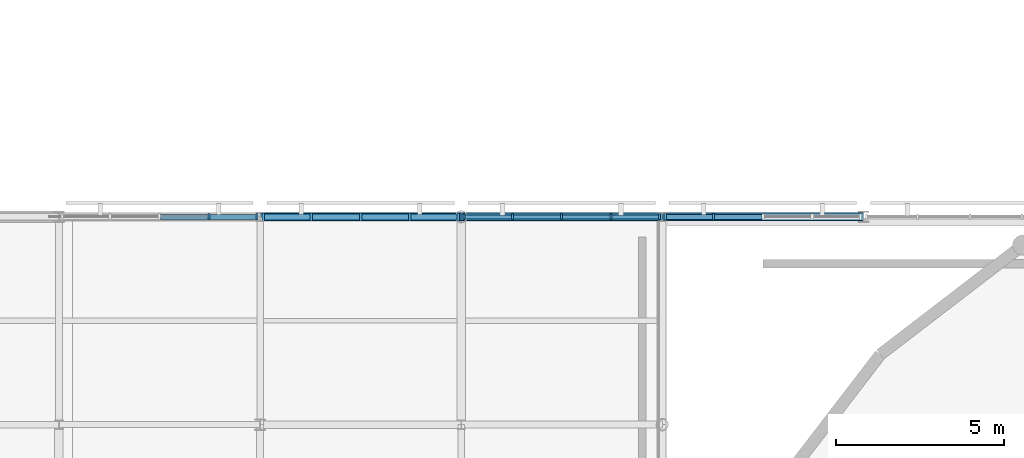
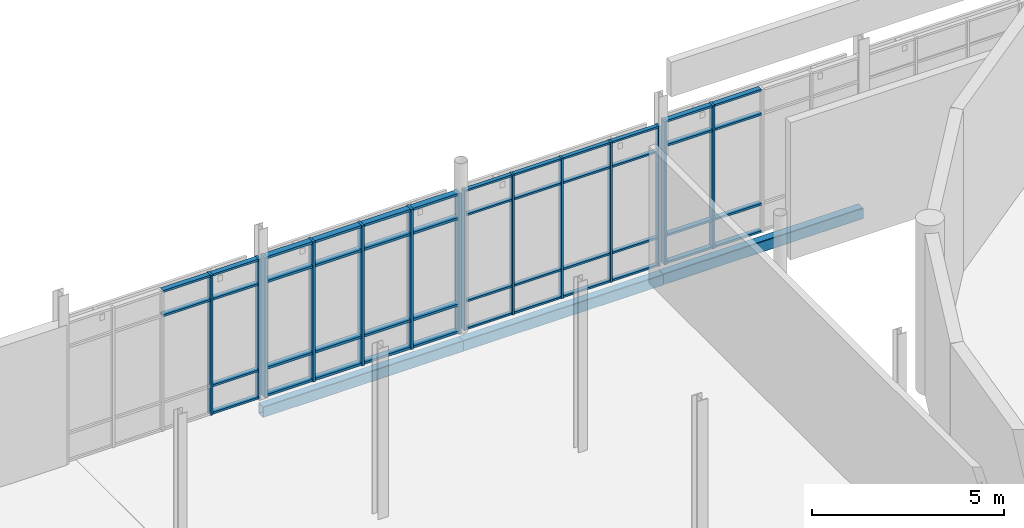
# One storey, part 37 of 105: 60 members, 3 beams, 4 elements without a shape of their own.
"""IFC4 building model written with IfcOpenShell, lengths in metres."""

from ifc_helpers import new_model, si_unit, direction, frame, origin, origin_2d, place, context, subcontext, project, spatial, rectangle, hollow_rectangle, extrude, material, layer, layer_set, material_profile, profile_set, type_object, element, aggregate, save


model = new_model("IFC4")

# Units and contexts
model_context = context("Model", 3, precision=1e-05, world=origin(), true_north=direction((0.0, 1.0)))
body_context = subcontext(model_context, "Body", "Model", "MODEL_VIEW")
ifc_project = project(units=[si_unit("LENGTHUNIT", "METRE"), si_unit("AREAUNIT", "SQUARE_METRE"), si_unit("VOLUMEUNIT", "CUBIC_METRE"), si_unit("PLANEANGLEUNIT", "RADIAN"), si_unit("MASSUNIT", "GRAM", prefix="KILO")], contexts=[model_context])

# Site, building, storey
site_placement = place(None, origin())
site = spatial("IfcSite", under=ifc_project, at=site_placement, CompositionType="ELEMENT")
building_placement = place(site_placement, origin())
building = spatial("IfcBuilding", under=site, at=building_placement, Name="Mirzam Square Science Centre", CompositionType="ELEMENT")
storey_placement = place(building_placement, frame((0.0, 0.0, 5.39990234375)))
storey = spatial("IfcBuildingStorey", under=building, at=storey_placement, Name="L01", CompositionType="ELEMENT", Elevation=5.39990234375)

# Curtain wall, members
ifc_material_1 = material(Name="Anodised Aluminium and Low-E Solar Glass", Category="aluminium")
ifc_layer_1 = layer(ifc_material_1, 0.199951171875)
ifc_layer_set_1 = layer_set([ifc_layer_1], Name="CW-EAST-A")
curtain_wall_type_1 = type_object("IfcCurtainWallType", Name="CW-EAST-A", PredefinedType="USERDEFINED", material=ifc_layer_set_1)
curtain_wall_1_placement = place(storey_placement, origin())
curtain_wall_1 = element("IfcCurtainWall", 1, at=curtain_wall_1_placement, inside=storey, type_object=curtain_wall_type_1, Name="L01 unitised curtain wall 17", ObjectType="UNITISED CURTAIN WALL", PredefinedType="USERDEFINED")
ifc_material_2 = material(Name="Anodised Architectural Aluminium 6063-T6", Category="aluminium")
ifc_material_profile_1 = material_profile(ifc_material_2, rectangle(XDim=0.06005859375, YDim=0.159912109375, at=origin_2d()), Name="ALU-MULL-160x60x4")
ifc_profile_set_1 = profile_set([ifc_material_profile_1], Name="Anodised Architectural Aluminium 6063-T6")
member_type_1 = type_object("IfcMemberType", Name="CWM-160", PredefinedType="MULLION", material=ifc_profile_set_1)
member_1_placement = place(storey_placement, frame((59.9150390625, 80.60009765625, 0.0), z_axis=(0.0, 0.0, 1.0), x_axis=(-1.0, 0.0, 0.0)))
member_1 = element("IfcMember", 2, at=member_1_placement, type_object=member_type_1, Name="CW-05 mullion 1", PredefinedType="MULLION", context=body_context, shape_type="SweptSolid", body=[
    extrude(rectangle(XDim=0.06005859375, YDim=0.159912109375, at=origin_2d()), origin(), (0.0, 0.0, 1.0), 4.440185546875),
])
member_2_placement = place(storey_placement, frame((58.472412109375, 80.60009765625, 0.0), z_axis=(0.0, 0.0, 1.0), x_axis=(-1.0, 0.0, 0.0)))
member_2 = element("IfcMember", 3, at=member_2_placement, type_object=member_type_1, Name="CW-05 mullion 2", PredefinedType="MULLION", context=body_context, shape_type="SweptSolid", body=[
    extrude(rectangle(XDim=0.06005859375, YDim=0.159912109375, at=origin_2d()), origin(), (0.0, 0.0, 1.0), 4.440185546875),
])
member_3_placement = place(storey_placement, frame((57.0, 80.60009765625, 0.0), z_axis=(0.0, 0.0, 1.0), x_axis=(-1.0, 0.0, 0.0)))
member_3 = element("IfcMember", 4, at=member_3_placement, type_object=member_type_1, Name="CW-05 mullion 3", PredefinedType="MULLION", context=body_context, shape_type="SweptSolid", body=[
    extrude(rectangle(XDim=0.06005859375, YDim=0.159912109375, at=origin_2d()), origin(), (0.0, 0.0, 1.0), 4.440185546875),
])
member_4_placement = place(storey_placement, frame((55.527587890625, 80.60009765625, 0.0), z_axis=(0.0, 0.0, 1.0), x_axis=(-1.0, 0.0, 0.0)))
member_4 = element("IfcMember", 5, at=member_4_placement, type_object=member_type_1, Name="CW-05 mullion 4", PredefinedType="MULLION", context=body_context, shape_type="SweptSolid", body=[
    extrude(rectangle(XDim=0.06005859375, YDim=0.159912109375, at=origin_2d()), origin(), (0.0, 0.0, 1.0), 4.440185546875),
])
member_5_placement = place(storey_placement, frame((54.0849609375, 80.60009765625, 0.0), z_axis=(0.0, 0.0, 1.0), x_axis=(-1.0, 0.0, 0.0)))
member_5 = element("IfcMember", 6, at=member_5_placement, type_object=member_type_1, Name="CW-05 mullion 5", PredefinedType="MULLION", context=body_context, shape_type="SweptSolid", body=[
    extrude(rectangle(XDim=0.06005859375, YDim=0.159912109375, at=origin_2d()), origin(), (0.0, 0.0, 1.0), 4.440185546875),
])

ifc_layer_2 = layer(ifc_material_1, 0.159912109375)
ifc_layer_set_2 = layer_set([ifc_layer_2], Name="CW-COURT-A")
curtain_wall_type_2 = type_object("IfcCurtainWallType", Name="CW-COURT-A", PredefinedType="USERDEFINED", material=ifc_layer_set_2)
curtain_wall_2_placement = place(storey_placement, origin())
curtain_wall_2 = element("IfcCurtainWall", 7, at=curtain_wall_2_placement, inside=storey, type_object=curtain_wall_type_2, Name="L01 unitised curtain wall 15", ObjectType="UNITISED CURTAIN WALL", PredefinedType="USERDEFINED")
ifc_material_profile_2 = material_profile(ifc_material_2, rectangle(XDim=0.06494140625, YDim=0.199951171875, at=origin_2d()), Name="ALU-MULL-200x65x5")
ifc_profile_set_2 = profile_set([ifc_material_profile_2], Name="Anodised Architectural Aluminium 6063-T6")
member_type_2 = type_object("IfcMemberType", Name="CWM-200", PredefinedType="MULLION", material=ifc_profile_set_2)
member_6_placement = place(storey_placement, frame((47.91259765625, 80.60009765625, 0.0), z_axis=(0.0, 0.0, 1.0), x_axis=(-1.0, 0.0, 0.0)))
member_6 = element("IfcMember", 8, at=member_6_placement, type_object=member_type_2, Name="CW-03 mullion 1", PredefinedType="MULLION", context=body_context, shape_type="SweptSolid", body=[
    extrude(rectangle(XDim=0.06494140625, YDim=0.199951171875, at=origin_2d()), origin(), (0.0, 0.0, 1.0), 4.440185546875),
])
member_7_placement = place(storey_placement, frame((46.472412109375, 80.60009765625, 0.0), z_axis=(0.0, 0.0, 1.0), x_axis=(-1.0, 0.0, 0.0)))
member_7 = element("IfcMember", 9, at=member_7_placement, type_object=member_type_2, Name="CW-03 mullion 2", PredefinedType="MULLION", context=body_context, shape_type="SweptSolid", body=[
    extrude(rectangle(XDim=0.06494140625, YDim=0.199951171875, at=origin_2d()), origin(), (0.0, 0.0, 1.0), 4.440185546875),
])

curtain_wall_3_placement = place(storey_placement, origin())
curtain_wall_3 = element("IfcCurtainWall", 10, at=curtain_wall_3_placement, inside=storey, type_object=curtain_wall_type_2, Name="L01 unitised curtain wall 50", ObjectType="UNITISED CURTAIN WALL", PredefinedType="USERDEFINED")
member_8_placement = place(storey_placement, frame((61.527587890625, 80.60009765625, 0.0), z_axis=(0.0, 0.0, 1.0), x_axis=(-1.0, 0.0, 0.0)))
member_8 = element("IfcMember", 11, at=member_8_placement, type_object=member_type_2, Name="CW-03 mullion 4", PredefinedType="MULLION", context=body_context, shape_type="SweptSolid", body=[
    extrude(rectangle(XDim=0.06494140625, YDim=0.199951171875, at=origin_2d()), origin(), (0.0, 0.0, 1.0), 4.550048828125),
])
member_9_placement = place(storey_placement, frame((60.08740234375, 80.60009765625, 0.0), z_axis=(0.0, 0.0, 1.0), x_axis=(-1.0, 0.0, 0.0)))
member_9 = element("IfcMember", 12, at=member_9_placement, type_object=member_type_2, Name="CW-03 mullion 5", PredefinedType="MULLION", context=body_context, shape_type="SweptSolid", body=[
    extrude(rectangle(XDim=0.06494140625, YDim=0.199951171875, at=origin_2d()), origin(), (0.0, 0.0, 1.0), 4.550048828125),
])

ifc_layer_3 = layer(ifc_material_1, 0.159912109375)
ifc_layer_set_3 = layer_set([ifc_layer_3], Name="CW-COURT-B")
curtain_wall_type_3 = type_object("IfcCurtainWallType", Name="CW-COURT-B", PredefinedType="USERDEFINED", material=ifc_layer_set_3)
curtain_wall_4_placement = place(storey_placement, origin())
curtain_wall_4 = element("IfcCurtainWall", 13, at=curtain_wall_4_placement, inside=storey, type_object=curtain_wall_type_3, Name="L01 unitised curtain wall 16", ObjectType="UNITISED CURTAIN WALL", PredefinedType="USERDEFINED")
ifc_material_profile_3 = material_profile(ifc_material_2, rectangle(XDim=0.074951171875, YDim=0.239990234375, at=origin_2d()), Name="ALU-MULL-240x75x5")
ifc_profile_set_3 = profile_set([ifc_material_profile_3], Name="Anodised Architectural Aluminium 6063-T6")
member_type_3 = type_object("IfcMemberType", Name="CWM-240", PredefinedType="MULLION", material=ifc_profile_set_3)
member_10_placement = place(storey_placement, frame((53.907470703125, 80.60009765625, 0.0), z_axis=(0.0, 0.0, 1.0), x_axis=(-1.0, 0.0, 0.0)))
member_10 = element("IfcMember", 14, at=member_10_placement, type_object=member_type_3, Name="CW-04 mullion 1", PredefinedType="MULLION", context=body_context, shape_type="SweptSolid", body=[
    extrude(rectangle(XDim=0.074951171875, YDim=0.239990234375, at=origin_2d()), origin(), (0.0, 0.0, 1.0), 4.440185546875),
])
member_11_placement = place(storey_placement, frame((52.472412109375, 80.60009765625, 0.0), z_axis=(0.0, 0.0, 1.0), x_axis=(-1.0, 0.0, 0.0)))
member_11 = element("IfcMember", 15, at=member_11_placement, type_object=member_type_3, Name="CW-04 mullion 2", PredefinedType="MULLION", context=body_context, shape_type="SweptSolid", body=[
    extrude(rectangle(XDim=0.074951171875, YDim=0.239990234375, at=origin_2d()), origin(), (0.0, 0.0, 1.0), 4.440185546875),
])
member_12_placement = place(storey_placement, frame((51.0, 80.60009765625, 0.0), z_axis=(0.0, 0.0, 1.0), x_axis=(-1.0, 0.0, 0.0)))
member_12 = element("IfcMember", 16, at=member_12_placement, type_object=member_type_3, Name="CW-04 mullion 3", PredefinedType="MULLION", context=body_context, shape_type="SweptSolid", body=[
    extrude(rectangle(XDim=0.074951171875, YDim=0.239990234375, at=origin_2d()), origin(), (0.0, 0.0, 1.0), 4.440185546875),
])
member_13_placement = place(storey_placement, frame((49.527587890625, 80.60009765625, 0.0), z_axis=(0.0, 0.0, 1.0), x_axis=(-1.0, 0.0, 0.0)))
member_13 = element("IfcMember", 17, at=member_13_placement, type_object=member_type_3, Name="CW-04 mullion 4", PredefinedType="MULLION", context=body_context, shape_type="SweptSolid", body=[
    extrude(rectangle(XDim=0.074951171875, YDim=0.239990234375, at=origin_2d()), origin(), (0.0, 0.0, 1.0), 4.440185546875),
])
member_14_placement = place(storey_placement, frame((48.092529296875, 80.60009765625, 0.0), z_axis=(0.0, 0.0, 1.0), x_axis=(-1.0, 0.0, 0.0)))
member_14 = element("IfcMember", 18, at=member_14_placement, type_object=member_type_3, Name="CW-04 mullion 5", PredefinedType="MULLION", context=body_context, shape_type="SweptSolid", body=[
    extrude(rectangle(XDim=0.074951171875, YDim=0.239990234375, at=origin_2d()), origin(), (0.0, 0.0, 1.0), 4.440185546875),
])

# Member
ifc_material_profile_4 = material_profile(ifc_material_2, rectangle(XDim=0.1201171875, YDim=0.06005859375, at=origin_2d()), Name="ALU-TRAN-120x60x4")
ifc_profile_set_4 = profile_set([ifc_material_profile_4], Name="Anodised Architectural Aluminium 6063-T6")
member_type_4 = type_object("IfcMemberType", Name="CWT-120", PredefinedType="USERDEFINED", material=ifc_profile_set_4)
member_15_placement = place(storey_placement, frame((59.885009765625, 80.60009765625, 0.030029296875), z_axis=(-1.0, 0.0, 0.0), x_axis=(0.0, -1.0, 0.0)))
member_15 = element("IfcMember", 19, at=member_15_placement, type_object=member_type_4, Name="CW-05 transom 1.1", ObjectType="TRANSOM", PredefinedType="USERDEFINED", context=body_context, shape_type="SweptSolid", body=[
    extrude(rectangle(XDim=0.1201171875, YDim=0.06005859375, at=origin_2d()), origin(), (0.0, 0.0, 1.0), 1.382568359375),
])

member_16_placement = place(storey_placement, frame((59.885009765625, 80.60009765625, 0.900146484375), z_axis=(-1.0, 0.0, 0.0), x_axis=(0.0, -1.0, 0.0)))
member_16 = element("IfcMember", 20, at=member_16_placement, type_object=member_type_4, Name="CW-05 transom 1.2", ObjectType="TRANSOM", PredefinedType="USERDEFINED", context=body_context, shape_type="SweptSolid", body=[
    extrude(rectangle(XDim=0.1201171875, YDim=0.06005859375, at=origin_2d()), origin(), (0.0, 0.0, 1.0), 1.382568359375),
])

member_17_placement = place(storey_placement, frame((59.885009765625, 80.60009765625, 3.64013671875), z_axis=(-1.0, 0.0, 0.0), x_axis=(0.0, -1.0, 0.0)))
member_17 = element("IfcMember", 21, at=member_17_placement, type_object=member_type_4, Name="CW-05 transom 1.3", ObjectType="TRANSOM", PredefinedType="USERDEFINED", context=body_context, shape_type="SweptSolid", body=[
    extrude(rectangle(XDim=0.1201171875, YDim=0.06005859375, at=origin_2d()), origin(), (0.0, 0.0, 1.0), 1.382568359375),
])

member_18_placement = place(storey_placement, frame((59.885009765625, 80.60009765625, 4.41015625), z_axis=(-1.0, 0.0, 0.0), x_axis=(0.0, -1.0, 0.0)))
member_18 = element("IfcMember", 22, at=member_18_placement, type_object=member_type_4, Name="CW-05 transom 1.4", ObjectType="TRANSOM", PredefinedType="USERDEFINED", context=body_context, shape_type="SweptSolid", body=[
    extrude(rectangle(XDim=0.1201171875, YDim=0.06005859375, at=origin_2d()), origin(), (0.0, 0.0, 1.0), 1.382568359375),
])

member_19_placement = place(storey_placement, frame((58.4423828125, 80.60009765625, 0.030029296875), z_axis=(-1.0, 0.0, 0.0), x_axis=(0.0, -1.0, 0.0)))
member_19 = element("IfcMember", 23, at=member_19_placement, type_object=member_type_4, Name="CW-05 transom 2.1", ObjectType="TRANSOM", PredefinedType="USERDEFINED", context=body_context, shape_type="SweptSolid", body=[
    extrude(rectangle(XDim=0.1201171875, YDim=0.06005859375, at=origin_2d()), origin(), (0.0, 0.0, 1.0), 1.412353515625),
])

member_20_placement = place(storey_placement, frame((58.4423828125, 80.60009765625, 0.900146484375), z_axis=(-1.0, 0.0, 0.0), x_axis=(0.0, -1.0, 0.0)))
member_20 = element("IfcMember", 24, at=member_20_placement, type_object=member_type_4, Name="CW-05 transom 2.2", ObjectType="TRANSOM", PredefinedType="USERDEFINED", context=body_context, shape_type="SweptSolid", body=[
    extrude(rectangle(XDim=0.1201171875, YDim=0.06005859375, at=origin_2d()), origin(), (0.0, 0.0, 1.0), 1.412353515625),
])

member_21_placement = place(storey_placement, frame((58.4423828125, 80.60009765625, 3.64013671875), z_axis=(-1.0, 0.0, 0.0), x_axis=(0.0, -1.0, 0.0)))
member_21 = element("IfcMember", 25, at=member_21_placement, type_object=member_type_4, Name="CW-05 transom 2.3", ObjectType="TRANSOM", PredefinedType="USERDEFINED", context=body_context, shape_type="SweptSolid", body=[
    extrude(rectangle(XDim=0.1201171875, YDim=0.06005859375, at=origin_2d()), origin(), (0.0, 0.0, 1.0), 1.412353515625),
])

member_22_placement = place(storey_placement, frame((58.4423828125, 80.60009765625, 4.41015625), z_axis=(-1.0, 0.0, 0.0), x_axis=(0.0, -1.0, 0.0)))
member_22 = element("IfcMember", 26, at=member_22_placement, type_object=member_type_4, Name="CW-05 transom 2.4", ObjectType="TRANSOM", PredefinedType="USERDEFINED", context=body_context, shape_type="SweptSolid", body=[
    extrude(rectangle(XDim=0.1201171875, YDim=0.06005859375, at=origin_2d()), origin(), (0.0, 0.0, 1.0), 1.412353515625),
])

member_23_placement = place(storey_placement, frame((56.969970703125, 80.60009765625, 0.030029296875), z_axis=(-1.0, 0.0, 0.0), x_axis=(0.0, -1.0, 0.0)))
member_23 = element("IfcMember", 27, at=member_23_placement, type_object=member_type_4, Name="CW-05 transom 3.1", ObjectType="TRANSOM", PredefinedType="USERDEFINED", context=body_context, shape_type="SweptSolid", body=[
    extrude(rectangle(XDim=0.1201171875, YDim=0.06005859375, at=origin_2d()), origin(), (0.0, 0.0, 1.0), 1.412353515625),
])

member_24_placement = place(storey_placement, frame((56.969970703125, 80.60009765625, 0.900146484375), z_axis=(-1.0, 0.0, 0.0), x_axis=(0.0, -1.0, 0.0)))
member_24 = element("IfcMember", 28, at=member_24_placement, type_object=member_type_4, Name="CW-05 transom 3.2", ObjectType="TRANSOM", PredefinedType="USERDEFINED", context=body_context, shape_type="SweptSolid", body=[
    extrude(rectangle(XDim=0.1201171875, YDim=0.06005859375, at=origin_2d()), origin(), (0.0, 0.0, 1.0), 1.412353515625),
])

member_25_placement = place(storey_placement, frame((56.969970703125, 80.60009765625, 3.64013671875), z_axis=(-1.0, 0.0, 0.0), x_axis=(0.0, -1.0, 0.0)))
member_25 = element("IfcMember", 29, at=member_25_placement, type_object=member_type_4, Name="CW-05 transom 3.3", ObjectType="TRANSOM", PredefinedType="USERDEFINED", context=body_context, shape_type="SweptSolid", body=[
    extrude(rectangle(XDim=0.1201171875, YDim=0.06005859375, at=origin_2d()), origin(), (0.0, 0.0, 1.0), 1.412353515625),
])

member_26_placement = place(storey_placement, frame((56.969970703125, 80.60009765625, 4.41015625), z_axis=(-1.0, 0.0, 0.0), x_axis=(0.0, -1.0, 0.0)))
member_26 = element("IfcMember", 30, at=member_26_placement, type_object=member_type_4, Name="CW-05 transom 3.4", ObjectType="TRANSOM", PredefinedType="USERDEFINED", context=body_context, shape_type="SweptSolid", body=[
    extrude(rectangle(XDim=0.1201171875, YDim=0.06005859375, at=origin_2d()), origin(), (0.0, 0.0, 1.0), 1.412353515625),
])

member_27_placement = place(storey_placement, frame((55.49755859375, 80.60009765625, 0.030029296875), z_axis=(-1.0, 0.0, 0.0), x_axis=(0.0, -1.0, 0.0)))
member_27 = element("IfcMember", 31, at=member_27_placement, type_object=member_type_4, Name="CW-05 transom 4.1", ObjectType="TRANSOM", PredefinedType="USERDEFINED", context=body_context, shape_type="SweptSolid", body=[
    extrude(rectangle(XDim=0.1201171875, YDim=0.06005859375, at=origin_2d()), origin(), (0.0, 0.0, 1.0), 1.382568359375),
])

member_28_placement = place(storey_placement, frame((55.49755859375, 80.60009765625, 0.900146484375), z_axis=(-1.0, 0.0, 0.0), x_axis=(0.0, -1.0, 0.0)))
member_28 = element("IfcMember", 32, at=member_28_placement, type_object=member_type_4, Name="CW-05 transom 4.2", ObjectType="TRANSOM", PredefinedType="USERDEFINED", context=body_context, shape_type="SweptSolid", body=[
    extrude(rectangle(XDim=0.1201171875, YDim=0.06005859375, at=origin_2d()), origin(), (0.0, 0.0, 1.0), 1.382568359375),
])

member_29_placement = place(storey_placement, frame((55.49755859375, 80.60009765625, 3.64013671875), z_axis=(-1.0, 0.0, 0.0), x_axis=(0.0, -1.0, 0.0)))
member_29 = element("IfcMember", 33, at=member_29_placement, type_object=member_type_4, Name="CW-05 transom 4.3", ObjectType="TRANSOM", PredefinedType="USERDEFINED", context=body_context, shape_type="SweptSolid", body=[
    extrude(rectangle(XDim=0.1201171875, YDim=0.06005859375, at=origin_2d()), origin(), (0.0, 0.0, 1.0), 1.382568359375),
])

member_30_placement = place(storey_placement, frame((55.49755859375, 80.60009765625, 4.41015625), z_axis=(-1.0, 0.0, 0.0), x_axis=(0.0, -1.0, 0.0)))
member_30 = element("IfcMember", 34, at=member_30_placement, type_object=member_type_4, Name="CW-05 transom 4.4", ObjectType="TRANSOM", PredefinedType="USERDEFINED", context=body_context, shape_type="SweptSolid", body=[
    extrude(rectangle(XDim=0.1201171875, YDim=0.06005859375, at=origin_2d()), origin(), (0.0, 0.0, 1.0), 1.382568359375),
])

aggregate(curtain_wall_1, [member_1, member_2, member_3, member_4, member_5, member_15, member_16, member_17, member_18, member_19, member_20, member_21, member_22, member_23, member_24, member_25, member_26, member_27, member_28, member_29, member_30])

ifc_material_profile_5 = material_profile(ifc_material_2, rectangle(XDim=0.14990234375, YDim=0.06494140625, at=origin_2d()), Name="ALU-TRAN-150x65x4")
ifc_profile_set_5 = profile_set([ifc_material_profile_5], Name="Anodised Architectural Aluminium 6063-T6")
member_type_5 = type_object("IfcMemberType", Name="CWT-150", PredefinedType="USERDEFINED", material=ifc_profile_set_5)
member_31_placement = place(storey_placement, frame((47.8798828125, 80.60009765625, 0.03271484375), z_axis=(-1.0, 0.0, 0.0), x_axis=(0.0, -1.0, 0.0)))
member_31 = element("IfcMember", 35, at=member_31_placement, type_object=member_type_5, Name="CW-03 transom 1.1", ObjectType="TRANSOM", PredefinedType="USERDEFINED", context=body_context, shape_type="SweptSolid", body=[
    extrude(rectangle(XDim=0.14990234375, YDim=0.06494140625, at=origin_2d()), origin(), (0.0, 0.0, 1.0), 1.375),
])

member_32_placement = place(storey_placement, frame((47.8798828125, 80.60009765625, 0.900146484375), z_axis=(-1.0, 0.0, 0.0), x_axis=(0.0, -1.0, 0.0)))
member_32 = element("IfcMember", 36, at=member_32_placement, type_object=member_type_5, Name="CW-03 transom 1.2", ObjectType="TRANSOM", PredefinedType="USERDEFINED", context=body_context, shape_type="SweptSolid", body=[
    extrude(rectangle(XDim=0.14990234375, YDim=0.06494140625, at=origin_2d()), origin(), (0.0, 0.0, 1.0), 1.375),
])

member_33_placement = place(storey_placement, frame((47.8798828125, 80.60009765625, 3.64013671875), z_axis=(-1.0, 0.0, 0.0), x_axis=(0.0, -1.0, 0.0)))
member_33 = element("IfcMember", 37, at=member_33_placement, type_object=member_type_5, Name="CW-03 transom 1.3", ObjectType="TRANSOM", PredefinedType="USERDEFINED", context=body_context, shape_type="SweptSolid", body=[
    extrude(rectangle(XDim=0.14990234375, YDim=0.06494140625, at=origin_2d()), origin(), (0.0, 0.0, 1.0), 1.375),
])

member_34_placement = place(storey_placement, frame((47.8798828125, 80.60009765625, 4.40771484375), z_axis=(-1.0, 0.0, 0.0), x_axis=(0.0, -1.0, 0.0)))
member_34 = element("IfcMember", 38, at=member_34_placement, type_object=member_type_5, Name="CW-03 transom 1.4", ObjectType="TRANSOM", PredefinedType="USERDEFINED", context=body_context, shape_type="SweptSolid", body=[
    extrude(rectangle(XDim=0.14990234375, YDim=0.06494140625, at=origin_2d()), origin(), (0.0, 0.0, 1.0), 1.375),
])

member_35_placement = place(storey_placement, frame((46.43994140625, 80.60009765625, 3.64013671875), z_axis=(-1.0, 0.0, 0.0), x_axis=(0.0, -1.0, 0.0)))
member_35 = element("IfcMember", 39, at=member_35_placement, type_object=member_type_5, Name="CW-03 transom 2.3", ObjectType="TRANSOM", PredefinedType="USERDEFINED", context=body_context, shape_type="SweptSolid", body=[
    extrude(rectangle(XDim=0.14990234375, YDim=0.06494140625, at=origin_2d()), origin(), (0.0, 0.0, 1.0), 1.407470703125),
])

member_36_placement = place(storey_placement, frame((46.43994140625, 80.60009765625, 4.40771484375), z_axis=(-1.0, 0.0, 0.0), x_axis=(0.0, -1.0, 0.0)))
member_36 = element("IfcMember", 40, at=member_36_placement, type_object=member_type_5, Name="CW-03 transom 2.4", ObjectType="TRANSOM", PredefinedType="USERDEFINED", context=body_context, shape_type="SweptSolid", body=[
    extrude(rectangle(XDim=0.14990234375, YDim=0.06494140625, at=origin_2d()), origin(), (0.0, 0.0, 1.0), 1.407470703125),
])

aggregate(curtain_wall_2, [member_6, member_7, member_31, member_32, member_33, member_34, member_35, member_36])

member_37_placement = place(storey_placement, frame((62.967529296875, 80.60009765625, 0.03271484375), z_axis=(-1.0, 0.0, 0.0), x_axis=(0.0, -1.0, 0.0)))
member_37 = element("IfcMember", 41, at=member_37_placement, type_object=member_type_5, Name="CW-03 transom 3.1", ObjectType="TRANSOM", PredefinedType="USERDEFINED", context=body_context, shape_type="SweptSolid", body=[
    extrude(rectangle(XDim=0.14990234375, YDim=0.06494140625, at=origin_2d()), origin(), (0.0, 0.0, 1.0), 1.407470703125),
])

member_38_placement = place(storey_placement, frame((62.967529296875, 80.60009765625, 0.900146484375), z_axis=(-1.0, 0.0, 0.0), x_axis=(0.0, -1.0, 0.0)))
member_38 = element("IfcMember", 42, at=member_38_placement, type_object=member_type_5, Name="CW-03 transom 3.2", ObjectType="TRANSOM", PredefinedType="USERDEFINED", context=body_context, shape_type="SweptSolid", body=[
    extrude(rectangle(XDim=0.14990234375, YDim=0.06494140625, at=origin_2d()), origin(), (0.0, 0.0, 1.0), 1.407470703125),
])

member_39_placement = place(storey_placement, frame((62.967529296875, 80.60009765625, 3.75), z_axis=(-1.0, 0.0, 0.0), x_axis=(0.0, -1.0, 0.0)))
member_39 = element("IfcMember", 43, at=member_39_placement, type_object=member_type_5, Name="CW-03 transom 3.3", ObjectType="TRANSOM", PredefinedType="USERDEFINED", context=body_context, shape_type="SweptSolid", body=[
    extrude(rectangle(XDim=0.14990234375, YDim=0.06494140625, at=origin_2d()), origin(), (0.0, 0.0, 1.0), 1.407470703125),
])

member_40_placement = place(storey_placement, frame((62.967529296875, 80.60009765625, 4.517578125), z_axis=(-1.0, 0.0, 0.0), x_axis=(0.0, -1.0, 0.0)))
member_40 = element("IfcMember", 44, at=member_40_placement, type_object=member_type_5, Name="CW-03 transom 3.4", ObjectType="TRANSOM", PredefinedType="USERDEFINED", context=body_context, shape_type="SweptSolid", body=[
    extrude(rectangle(XDim=0.14990234375, YDim=0.06494140625, at=origin_2d()), origin(), (0.0, 0.0, 1.0), 1.407470703125),
])

member_41_placement = place(storey_placement, frame((61.4951171875, 80.60009765625, 0.03271484375), z_axis=(-1.0, 0.0, 0.0), x_axis=(0.0, -1.0, 0.0)))
member_41 = element("IfcMember", 45, at=member_41_placement, type_object=member_type_5, Name="CW-03 transom 4.1", ObjectType="TRANSOM", PredefinedType="USERDEFINED", context=body_context, shape_type="SweptSolid", body=[
    extrude(rectangle(XDim=0.14990234375, YDim=0.06494140625, at=origin_2d()), origin(), (0.0, 0.0, 1.0), 1.375),
])

member_42_placement = place(storey_placement, frame((61.4951171875, 80.60009765625, 0.900146484375), z_axis=(-1.0, 0.0, 0.0), x_axis=(0.0, -1.0, 0.0)))
member_42 = element("IfcMember", 46, at=member_42_placement, type_object=member_type_5, Name="CW-03 transom 4.2", ObjectType="TRANSOM", PredefinedType="USERDEFINED", context=body_context, shape_type="SweptSolid", body=[
    extrude(rectangle(XDim=0.14990234375, YDim=0.06494140625, at=origin_2d()), origin(), (0.0, 0.0, 1.0), 1.375),
])

member_43_placement = place(storey_placement, frame((61.4951171875, 80.60009765625, 3.75), z_axis=(-1.0, 0.0, 0.0), x_axis=(0.0, -1.0, 0.0)))
member_43 = element("IfcMember", 47, at=member_43_placement, type_object=member_type_5, Name="CW-03 transom 4.3", ObjectType="TRANSOM", PredefinedType="USERDEFINED", context=body_context, shape_type="SweptSolid", body=[
    extrude(rectangle(XDim=0.14990234375, YDim=0.06494140625, at=origin_2d()), origin(), (0.0, 0.0, 1.0), 1.375),
])

member_44_placement = place(storey_placement, frame((61.4951171875, 80.60009765625, 4.517578125), z_axis=(-1.0, 0.0, 0.0), x_axis=(0.0, -1.0, 0.0)))
member_44 = element("IfcMember", 48, at=member_44_placement, type_object=member_type_5, Name="CW-03 transom 4.4", ObjectType="TRANSOM", PredefinedType="USERDEFINED", context=body_context, shape_type="SweptSolid", body=[
    extrude(rectangle(XDim=0.14990234375, YDim=0.06494140625, at=origin_2d()), origin(), (0.0, 0.0, 1.0), 1.375),
])

aggregate(curtain_wall_3, [member_8, member_9, member_37, member_38, member_39, member_40, member_41, member_42, member_43, member_44])

ifc_material_profile_6 = material_profile(ifc_material_2, rectangle(XDim=0.179931640625, YDim=0.074951171875, at=origin_2d()), Name="ALU-TRAN-180x75x5")
ifc_profile_set_6 = profile_set([ifc_material_profile_6], Name="Anodised Architectural Aluminium 6063-T6")
member_type_6 = type_object("IfcMemberType", Name="CWT-180", PredefinedType="USERDEFINED", material=ifc_profile_set_6)
member_45_placement = place(storey_placement, frame((53.8701171875, 80.60009765625, 0.03759765625), z_axis=(-1.0, 0.0, 0.0), x_axis=(0.0, -1.0, 0.0)))
member_45 = element("IfcMember", 49, at=member_45_placement, type_object=member_type_6, Name="CW-04 transom 1.1", ObjectType="TRANSOM", PredefinedType="USERDEFINED", context=body_context, shape_type="SweptSolid", body=[
    extrude(rectangle(XDim=0.179931640625, YDim=0.074951171875, at=origin_2d()), origin(), (0.0, 0.0, 1.0), 1.360107421875),
])

member_46_placement = place(storey_placement, frame((53.8701171875, 80.60009765625, 0.900146484375), z_axis=(-1.0, 0.0, 0.0), x_axis=(0.0, -1.0, 0.0)))
member_46 = element("IfcMember", 50, at=member_46_placement, type_object=member_type_6, Name="CW-04 transom 1.2", ObjectType="TRANSOM", PredefinedType="USERDEFINED", context=body_context, shape_type="SweptSolid", body=[
    extrude(rectangle(XDim=0.179931640625, YDim=0.074951171875, at=origin_2d()), origin(), (0.0, 0.0, 1.0), 1.360107421875),
])

member_47_placement = place(storey_placement, frame((53.8701171875, 80.60009765625, 3.64013671875), z_axis=(-1.0, 0.0, 0.0), x_axis=(0.0, -1.0, 0.0)))
member_47 = element("IfcMember", 51, at=member_47_placement, type_object=member_type_6, Name="CW-04 transom 1.3", ObjectType="TRANSOM", PredefinedType="USERDEFINED", context=body_context, shape_type="SweptSolid", body=[
    extrude(rectangle(XDim=0.179931640625, YDim=0.074951171875, at=origin_2d()), origin(), (0.0, 0.0, 1.0), 1.360107421875),
])

member_48_placement = place(storey_placement, frame((53.8701171875, 80.60009765625, 4.402587890625), z_axis=(-1.0, 0.0, 0.0), x_axis=(0.0, -1.0, 0.0)))
member_48 = element("IfcMember", 52, at=member_48_placement, type_object=member_type_6, Name="CW-04 transom 1.4", ObjectType="TRANSOM", PredefinedType="USERDEFINED", context=body_context, shape_type="SweptSolid", body=[
    extrude(rectangle(XDim=0.179931640625, YDim=0.074951171875, at=origin_2d()), origin(), (0.0, 0.0, 1.0), 1.360107421875),
])

member_49_placement = place(storey_placement, frame((52.43505859375, 80.60009765625, 0.03759765625), z_axis=(-1.0, 0.0, 0.0), x_axis=(0.0, -1.0, 0.0)))
member_49 = element("IfcMember", 53, at=member_49_placement, type_object=member_type_6, Name="CW-04 transom 2.1", ObjectType="TRANSOM", PredefinedType="USERDEFINED", context=body_context, shape_type="SweptSolid", body=[
    extrude(rectangle(XDim=0.179931640625, YDim=0.074951171875, at=origin_2d()), origin(), (0.0, 0.0, 1.0), 1.3974609375),
])

member_50_placement = place(storey_placement, frame((52.43505859375, 80.60009765625, 0.900146484375), z_axis=(-1.0, 0.0, 0.0), x_axis=(0.0, -1.0, 0.0)))
member_50 = element("IfcMember", 54, at=member_50_placement, type_object=member_type_6, Name="CW-04 transom 2.2", ObjectType="TRANSOM", PredefinedType="USERDEFINED", context=body_context, shape_type="SweptSolid", body=[
    extrude(rectangle(XDim=0.179931640625, YDim=0.074951171875, at=origin_2d()), origin(), (0.0, 0.0, 1.0), 1.3974609375),
])

member_51_placement = place(storey_placement, frame((52.43505859375, 80.60009765625, 3.64013671875), z_axis=(-1.0, 0.0, 0.0), x_axis=(0.0, -1.0, 0.0)))
member_51 = element("IfcMember", 55, at=member_51_placement, type_object=member_type_6, Name="CW-04 transom 2.3", ObjectType="TRANSOM", PredefinedType="USERDEFINED", context=body_context, shape_type="SweptSolid", body=[
    extrude(rectangle(XDim=0.179931640625, YDim=0.074951171875, at=origin_2d()), origin(), (0.0, 0.0, 1.0), 1.3974609375),
])

member_52_placement = place(storey_placement, frame((52.43505859375, 80.60009765625, 4.402587890625), z_axis=(-1.0, 0.0, 0.0), x_axis=(0.0, -1.0, 0.0)))
member_52 = element("IfcMember", 56, at=member_52_placement, type_object=member_type_6, Name="CW-04 transom 2.4", ObjectType="TRANSOM", PredefinedType="USERDEFINED", context=body_context, shape_type="SweptSolid", body=[
    extrude(rectangle(XDim=0.179931640625, YDim=0.074951171875, at=origin_2d()), origin(), (0.0, 0.0, 1.0), 1.3974609375),
])

member_53_placement = place(storey_placement, frame((50.96240234375, 80.60009765625, 0.03759765625), z_axis=(-1.0, 0.0, 0.0), x_axis=(0.0, -1.0, 0.0)))
member_53 = element("IfcMember", 57, at=member_53_placement, type_object=member_type_6, Name="CW-04 transom 3.1", ObjectType="TRANSOM", PredefinedType="USERDEFINED", context=body_context, shape_type="SweptSolid", body=[
    extrude(rectangle(XDim=0.179931640625, YDim=0.074951171875, at=origin_2d()), origin(), (0.0, 0.0, 1.0), 1.3974609375),
])

member_54_placement = place(storey_placement, frame((50.96240234375, 80.60009765625, 0.900146484375), z_axis=(-1.0, 0.0, 0.0), x_axis=(0.0, -1.0, 0.0)))
member_54 = element("IfcMember", 58, at=member_54_placement, type_object=member_type_6, Name="CW-04 transom 3.2", ObjectType="TRANSOM", PredefinedType="USERDEFINED", context=body_context, shape_type="SweptSolid", body=[
    extrude(rectangle(XDim=0.179931640625, YDim=0.074951171875, at=origin_2d()), origin(), (0.0, 0.0, 1.0), 1.3974609375),
])

member_55_placement = place(storey_placement, frame((50.96240234375, 80.60009765625, 3.64013671875), z_axis=(-1.0, 0.0, 0.0), x_axis=(0.0, -1.0, 0.0)))
member_55 = element("IfcMember", 59, at=member_55_placement, type_object=member_type_6, Name="CW-04 transom 3.3", ObjectType="TRANSOM", PredefinedType="USERDEFINED", context=body_context, shape_type="SweptSolid", body=[
    extrude(rectangle(XDim=0.179931640625, YDim=0.074951171875, at=origin_2d()), origin(), (0.0, 0.0, 1.0), 1.3974609375),
])

member_56_placement = place(storey_placement, frame((50.96240234375, 80.60009765625, 4.402587890625), z_axis=(-1.0, 0.0, 0.0), x_axis=(0.0, -1.0, 0.0)))
member_56 = element("IfcMember", 60, at=member_56_placement, type_object=member_type_6, Name="CW-04 transom 3.4", ObjectType="TRANSOM", PredefinedType="USERDEFINED", context=body_context, shape_type="SweptSolid", body=[
    extrude(rectangle(XDim=0.179931640625, YDim=0.074951171875, at=origin_2d()), origin(), (0.0, 0.0, 1.0), 1.3974609375),
])

member_57_placement = place(storey_placement, frame((49.489990234375, 80.60009765625, 0.03759765625), z_axis=(-1.0, 0.0, 0.0), x_axis=(0.0, -1.0, 0.0)))
member_57 = element("IfcMember", 61, at=member_57_placement, type_object=member_type_6, Name="CW-04 transom 4.1", ObjectType="TRANSOM", PredefinedType="USERDEFINED", context=body_context, shape_type="SweptSolid", body=[
    extrude(rectangle(XDim=0.179931640625, YDim=0.074951171875, at=origin_2d()), origin(), (0.0, 0.0, 1.0), 1.360107421875),
])

member_58_placement = place(storey_placement, frame((49.489990234375, 80.60009765625, 0.900146484375), z_axis=(-1.0, 0.0, 0.0), x_axis=(0.0, -1.0, 0.0)))
member_58 = element("IfcMember", 62, at=member_58_placement, type_object=member_type_6, Name="CW-04 transom 4.2", ObjectType="TRANSOM", PredefinedType="USERDEFINED", context=body_context, shape_type="SweptSolid", body=[
    extrude(rectangle(XDim=0.179931640625, YDim=0.074951171875, at=origin_2d()), origin(), (0.0, 0.0, 1.0), 1.360107421875),
])

member_59_placement = place(storey_placement, frame((49.489990234375, 80.60009765625, 3.64013671875), z_axis=(-1.0, 0.0, 0.0), x_axis=(0.0, -1.0, 0.0)))
member_59 = element("IfcMember", 63, at=member_59_placement, type_object=member_type_6, Name="CW-04 transom 4.3", ObjectType="TRANSOM", PredefinedType="USERDEFINED", context=body_context, shape_type="SweptSolid", body=[
    extrude(rectangle(XDim=0.179931640625, YDim=0.074951171875, at=origin_2d()), origin(), (0.0, 0.0, 1.0), 1.360107421875),
])

member_60_placement = place(storey_placement, frame((49.489990234375, 80.60009765625, 4.402587890625), z_axis=(-1.0, 0.0, 0.0), x_axis=(0.0, -1.0, 0.0)))
member_60 = element("IfcMember", 64, at=member_60_placement, type_object=member_type_6, Name="CW-04 transom 4.4", ObjectType="TRANSOM", PredefinedType="USERDEFINED", context=body_context, shape_type="SweptSolid", body=[
    extrude(rectangle(XDim=0.179931640625, YDim=0.074951171875, at=origin_2d()), origin(), (0.0, 0.0, 1.0), 1.360107421875),
])

aggregate(curtain_wall_4, [member_10, member_11, member_12, member_13, member_14, member_45, member_46, member_47, member_48, member_49, member_50, member_51, member_52, member_53, member_54, member_55, member_56, member_57, member_58, member_59, member_60])

# Beams
ifc_material_3 = material(Name="Steel S355", Category="steel")
ifc_material_profile_7 = material_profile(ifc_material_3, hollow_rectangle(XDim=0.25, YDim=0.35009765625, WallThickness=0.012451171875, InnerFilletRadius=0.012451171875, OuterFilletRadius=0.02490234375, at=origin_2d()), Name="350x250x12.5RHS")
ifc_profile_set_7 = profile_set([ifc_material_profile_7], Name="Steel S355")
beam_type = type_object("IfcBeamType", Name="SP-RHS350", PredefinedType="SPANDREL", material=ifc_profile_set_7)
for number, where, z_axis, x_axis, name in (
    (65, (48.0, 80.60009765625, -0.434814453125), (1.0, 0.0, 0.0), (0.0, 1.0, 0.0), "L01 girder X9-14"),
    (66, (54.0, 80.60009765625, -0.434814453125), (1.0, 0.0, 0.0), (0.0, 1.0, 0.0), "L01 girder X10-14"),
    (67, (60.0, 80.60009765625, -0.4248046875), (1.0, 0.0, 0.0), (0.0, 1.0, 0.0), "L01 girder X11-14"),
):
    element("IfcBeam", number, at=place(storey_placement, frame(where, z_axis=z_axis, x_axis=x_axis)), inside=storey, type_object=beam_type, Name=name, PredefinedType="SPANDREL", context=body_context, shape_type="SweptSolid", body=[
        extrude(hollow_rectangle(XDim=0.25, YDim=0.35009765625, WallThickness=0.012451171875, InnerFilletRadius=0.012451171875, OuterFilletRadius=0.02490234375, at=origin_2d()), origin(), (0.0, 0.0, 1.0), 6.0),
    ])

save(model, "model.ifc")
